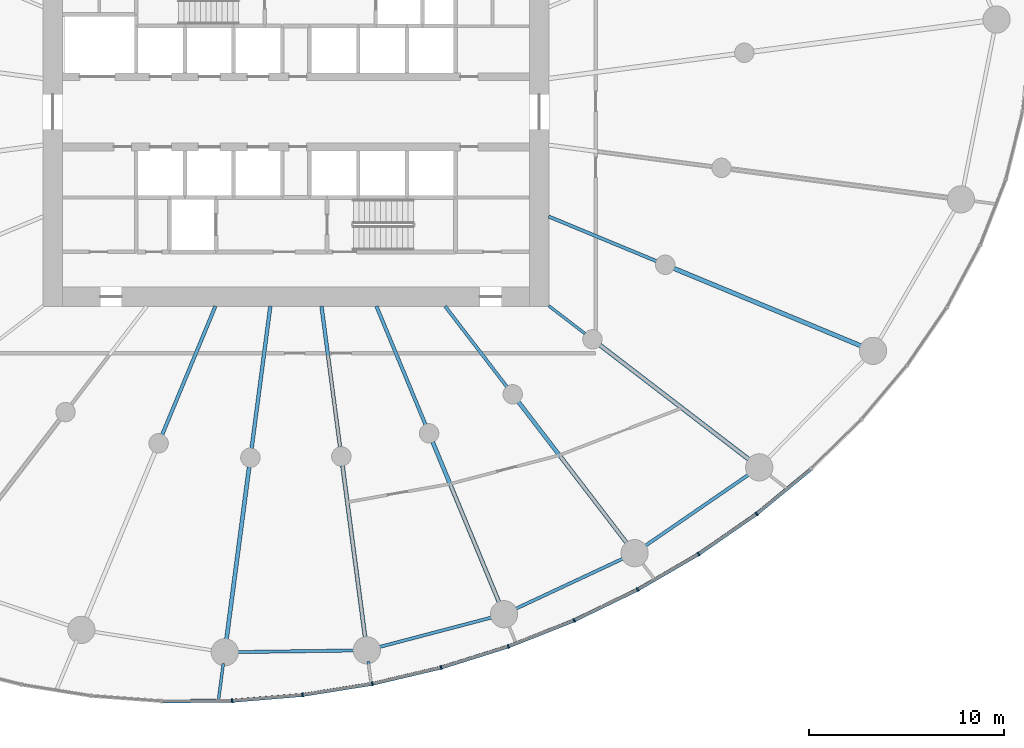
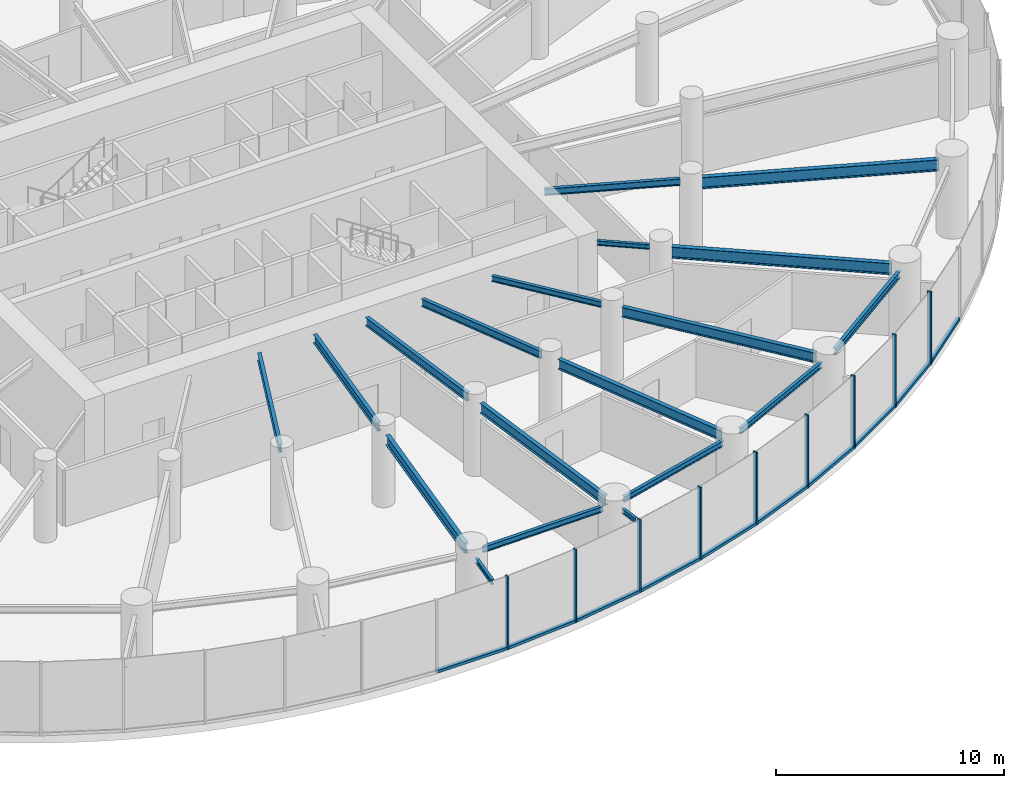
# One storey, part 4 of 18: 19 beams, 19 members, 3 elements without a shape of their own.
"""IFC4 building model written with IfcOpenShell, lengths in metres."""

from ifc_helpers import new_model, si_unit, direction, frame, origin, origin_2d, place, context, subcontext, project, spatial, rectangle, i_section, extrude, source, transform, mapped, material, layer, layer_set, material_profile, profile_set, type_object, element, aggregate, save


model = new_model("IFC4")

# Units and contexts
model_context = context("Model", 3, precision=1e-05, world=origin(), true_north=direction((0.0, 1.0)))
body_context = subcontext(model_context, "Body", "Model", "MODEL_VIEW")
ifc_project = project(units=[si_unit("LENGTHUNIT", "METRE"), si_unit("AREAUNIT", "SQUARE_METRE"), si_unit("VOLUMEUNIT", "CUBIC_METRE"), si_unit("PLANEANGLEUNIT", "RADIAN"), si_unit("MASSUNIT", "GRAM", prefix="KILO")], contexts=[model_context])

# Site, building, storey
site_placement = place(None, origin())
site = spatial("IfcSite", under=ifc_project, at=site_placement, CompositionType="ELEMENT")
building_placement = place(site_placement, origin())
building = spatial("IfcBuilding", under=site, at=building_placement, Name="Spindrift Exchange Tower", CompositionType="ELEMENT")
storey_placement = place(building_placement, frame((0.0, 0.0, 71.0)))
storey = spatial("IfcBuildingStorey", under=building, at=storey_placement, Name="L16", CompositionType="ELEMENT", Elevation=71.0)

# Beams
ifc_material_1 = material(Name="Steel Grade 300", Category="steel")
ifc_material_profile_1 = material_profile(ifc_material_1, i_section(OverallWidth=0.177978515625, OverallDepth=0.406005859375, WebThickness=0.0078125, FlangeThickness=0.0126953125, FilletRadius=0.013916015625, at=origin_2d()), Name="410UB59.7")
ifc_profile_set_1 = profile_set([ifc_material_profile_1], Name="Steel Grade 300")
beam_type_1 = type_object("IfcBeamType", Name="Floor Beam 410UB59.7 Steel Grade 300", PredefinedType="BEAM", material=ifc_profile_set_1)
shared_shape_1 = source(origin(), body_context, "Body", "SweptSolid", [
    extrude(i_section(OverallWidth=0.177978515625, OverallDepth=0.406005859375, WebThickness=0.0078125, FlangeThickness=0.0126953125, FilletRadius=0.013916015625, at=origin_2d()), origin(), (0.0, 0.0, 1.0), 7.150634765625),
])
beam_1_placement = place(storey_placement, frame((47.865478515625, 38.0185546875, 3.697021484375), z_axis=(-0.382665393358, -0.923887004306, 0.0), x_axis=(0.923887004306, -0.382665393358, 0.0)))
element("IfcBeam", 1, at=beam_1_placement, inside=storey, type_object=beam_type_1, Name="L16 radial beam R17A", PredefinedType="BEAM", context=body_context, shape_type="MappedRepresentation", body=[
    mapped(shared_shape_1, transform((0.0, 0.0, 0.0), scale=1.0)),
])
ifc_material_profile_2 = material_profile(ifc_material_1, i_section(OverallWidth=0.18994140625, OverallDepth=0.45703125, WebThickness=0.009033203125, FlangeThickness=0.014404296875, FilletRadius=0.013916015625, at=origin_2d()), Name="460UB74.6")
ifc_profile_set_2 = profile_set([ifc_material_profile_2], Name="Steel Grade 300")
beam_type_2 = type_object("IfcBeamType", Name="Floor Beam 460UB74.6 Steel Grade 300", PredefinedType="BEAM", material=ifc_profile_set_2)
shared_shape_2 = source(origin(), body_context, "Body", "SweptSolid", [
    extrude(i_section(OverallWidth=0.18994140625, OverallDepth=0.45703125, WebThickness=0.009033203125, FlangeThickness=0.014404296875, FilletRadius=0.013916015625, at=origin_2d()), origin(), (0.0, 0.0, 1.0), 7.374267578125),
])
beam_2_placement = place(storey_placement, frame((50.68603515625, 38.019775390625, 3.67138671875), z_axis=(-0.130539295622, -0.99144313619, 0.0), x_axis=(0.99144313619, -0.130539295622, 0.0)))
element("IfcBeam", 2, at=beam_2_placement, inside=storey, type_object=beam_type_2, Name="L16 radial beam R18A", PredefinedType="BEAM", context=body_context, shape_type="MappedRepresentation", body=[
    mapped(shared_shape_2, transform((0.0, 0.0, 0.0), scale=1.0)),
])
ifc_material_profile_3 = material_profile(ifc_material_1, i_section(OverallWidth=0.208984375, OverallDepth=0.532958984375, WebThickness=0.01025390625, FlangeThickness=0.015625, FilletRadius=0.013916015625, at=origin_2d()), Name="530UB92.4")
ifc_profile_set_3 = profile_set([ifc_material_profile_3], Name="Steel Grade 300")
beam_type_3 = type_object("IfcBeamType", Name="Floor Beam 530UB92.4 Steel Grade 300", PredefinedType="BEAM", material=ifc_profile_set_3)
shared_shape_3 = source(origin(), body_context, "Body", "SweptSolid", [
    extrude(i_section(OverallWidth=0.208984375, OverallDepth=0.532958984375, WebThickness=0.01025390625, FlangeThickness=0.015625, FilletRadius=0.013916015625, at=origin_2d()), origin(), (0.0, 0.0, 1.0), 9.020263671875),
])
beam_3_placement = place(storey_placement, frame((49.59814453125, 29.7568359375, 3.633544921875), z_axis=(-0.13051122338, -0.991446831944, 0.0), x_axis=(0.991446831944, -0.13051122338, 0.0)))
element("IfcBeam", 3, at=beam_3_placement, inside=storey, type_object=beam_type_3, Name="L16 radial beam R18B", PredefinedType="BEAM", context=body_context, shape_type="MappedRepresentation", body=[
    mapped(shared_shape_3, transform((0.0, 0.0, 0.0), scale=1.0)),
])
shared_shape_4 = source(origin(), body_context, "Body", "SweptSolid", [
    extrude(i_section(OverallWidth=0.18994140625, OverallDepth=0.45703125, WebThickness=0.009033203125, FlangeThickness=0.014404296875, FilletRadius=0.013916015625, at=origin_2d()), origin(), (0.0, 0.0, 1.0), 7.3095703125),
])
beam_4_placement = place(storey_placement, frame((53.31396484375, 38.019775390625, 3.67138671875), z_axis=(0.130527087244, -0.991444743541, 0.0), x_axis=(0.991444743541, 0.130527087244, 0.0)))
element("IfcBeam", 4, at=beam_4_placement, inside=storey, type_object=beam_type_2, Name="L16 radial beam R19A", PredefinedType="BEAM", context=body_context, shape_type="MappedRepresentation", body=[
    mapped(shared_shape_4, transform((0.0, 0.0, 0.0), scale=1.0)),
])
shared_shape_5 = source(origin(), body_context, "Body", "SweptSolid", [
    extrude(i_section(OverallWidth=0.208984375, OverallDepth=0.532958984375, WebThickness=0.01025390625, FlangeThickness=0.015625, FilletRadius=0.013916015625, at=origin_2d()), origin(), (0.0, 0.0, 1.0), 8.98388671875),
])
beam_5_placement = place(storey_placement, frame((54.393310546875, 29.82080078125, 3.633544921875), z_axis=(0.130524106785, -0.991445135924, 0.0), x_axis=(0.991445135924, 0.130524106785, 0.0)))
element("IfcBeam", 5, at=beam_5_placement, inside=storey, type_object=beam_type_3, Name="L16 radial beam R19B", PredefinedType="BEAM", context=body_context, shape_type="MappedRepresentation", body=[
    mapped(shared_shape_5, transform((0.0, 0.0, 0.0), scale=1.0)),
])
shared_shape_6 = source(origin(), body_context, "Body", "SweptSolid", [
    extrude(i_section(OverallWidth=0.177978515625, OverallDepth=0.406005859375, WebThickness=0.0078125, FlangeThickness=0.0126953125, FilletRadius=0.013916015625, at=origin_2d()), origin(), (0.0, 0.0, 1.0), 6.594482421875),
])
beam_6_placement = place(storey_placement, frame((56.134521484375, 38.0185546875, 3.697021484375), z_axis=(0.382692929746, -0.92387559851, 0.0), x_axis=(0.92387559851, 0.382692929746, 0.0)))
element("IfcBeam", 6, at=beam_6_placement, inside=storey, type_object=beam_type_1, Name="L16 radial beam R20A", PredefinedType="BEAM", context=body_context, shape_type="MappedRepresentation", body=[
    mapped(shared_shape_6, transform((0.0, 0.0, 0.0), scale=1.0)),
])
shared_shape_7 = source(origin(), body_context, "Body", "SweptSolid", [
    extrude(i_section(OverallWidth=0.208984375, OverallDepth=0.532958984375, WebThickness=0.01025390625, FlangeThickness=0.015625, FilletRadius=0.013916015625, at=origin_2d()), origin(), (0.0, 0.0, 1.0), 8.99658203125),
])
beam_7_placement = place(storey_placement, frame((59.025390625, 31.0390625, 3.633544921875), z_axis=(0.382685731718, -0.923878580085, 0.0), x_axis=(0.923878580085, 0.382685731718, 0.0)))
element("IfcBeam", 7, at=beam_7_placement, inside=storey, type_object=beam_type_3, Name="L16 radial beam R20B", PredefinedType="BEAM", context=body_context, shape_type="MappedRepresentation", body=[
    mapped(shared_shape_7, transform((0.0, 0.0, 0.0), scale=1.0)),
])
ifc_material_profile_4 = material_profile(ifc_material_1, i_section(OverallWidth=0.1650390625, OverallDepth=0.303955078125, WebThickness=0.006103515625, FlangeThickness=0.01025390625, FilletRadius=0.011474609375, at=origin_2d()), Name="310UB40.4")
ifc_profile_set_4 = profile_set([ifc_material_profile_4], Name="Steel Grade 300")
beam_type_4 = type_object("IfcBeamType", Name="Floor Beam 310UB40.4 Steel Grade 300", PredefinedType="BEAM", material=ifc_profile_set_4)
shared_shape_8 = source(origin(), body_context, "Body", "SweptSolid", [
    extrude(i_section(OverallWidth=0.1650390625, OverallDepth=0.303955078125, WebThickness=0.006103515625, FlangeThickness=0.01025390625, FilletRadius=0.011474609375, at=origin_2d()), origin(), (0.0, 0.0, 1.0), 5.224609375),
])
beam_8_placement = place(storey_placement, frame((59.6611328125, 38.015869140625, 3.748046875), z_axis=(0.608741499316, -0.793368632485, 0.0), x_axis=(0.793368632485, 0.608741499316, 0.0)))
element("IfcBeam", 8, at=beam_8_placement, inside=storey, type_object=beam_type_4, Name="L16 radial beam R21A", PredefinedType="BEAM", context=body_context, shape_type="MappedRepresentation", body=[
    mapped(shared_shape_8, transform((0.0, 0.0, 0.0), scale=1.0)),
])
shared_shape_9 = source(origin(), body_context, "Body", "SweptSolid", [
    extrude(i_section(OverallWidth=0.208984375, OverallDepth=0.532958984375, WebThickness=0.01025390625, FlangeThickness=0.015625, FilletRadius=0.013916015625, at=origin_2d()), origin(), (0.0, 0.0, 1.0), 9.227783203125),
])
beam_9_placement = place(storey_placement, frame((63.426025390625, 33.109375, 3.633544921875), z_axis=(0.608747534474, -0.79336400175, 0.0), x_axis=(0.79336400175, 0.608747534474, 0.0)))
element("IfcBeam", 9, at=beam_9_placement, inside=storey, type_object=beam_type_3, Name="L16 radial beam R21B", PredefinedType="BEAM", context=body_context, shape_type="MappedRepresentation", body=[
    mapped(shared_shape_9, transform((0.0, 0.0, 0.0), scale=1.0)),
])
ifc_material_profile_5 = material_profile(ifc_material_1, i_section(OverallWidth=0.14599609375, OverallDepth=0.251953125, WebThickness=0.006103515625, FlangeThickness=0.008544921875, FilletRadius=0.011962890625, at=origin_2d()), Name="250UB31.4")
ifc_profile_set_5 = profile_set([ifc_material_profile_5], Name="Steel Grade 300")
beam_type_5 = type_object("IfcBeamType", Name="Floor Beam 250UB31.4 Steel Grade 300", PredefinedType="BEAM", material=ifc_profile_set_5)
shared_shape_10 = source(origin(), body_context, "Body", "SweptSolid", [
    extrude(i_section(OverallWidth=0.14599609375, OverallDepth=0.251953125, WebThickness=0.006103515625, FlangeThickness=0.008544921875, FilletRadius=0.011962890625, at=origin_2d()), origin(), (0.0, 0.0, 1.0), 2.353759765625),
])
beam_10_placement = place(storey_placement, frame((64.984130859375, 38.036865234375, 3.77392578125), z_axis=(0.793367573265, -0.608742879787, 0.0), x_axis=(0.608742879787, 0.793367573265, 0.0)))
element("IfcBeam", 10, at=beam_10_placement, inside=storey, type_object=beam_type_5, Name="L16 radial beam R22A", PredefinedType="BEAM", context=body_context, shape_type="MappedRepresentation", body=[
    mapped(shared_shape_10, transform((0.0, 0.0, 0.0), scale=1.0)),
])
ifc_material_profile_6 = material_profile(ifc_material_1, i_section(OverallWidth=0.22802734375, OverallDepth=0.60693359375, WebThickness=0.01123046875, FlangeThickness=0.017333984375, FilletRadius=0.013916015625, at=origin_2d()), Name="610UB113")
ifc_profile_set_6 = profile_set([ifc_material_profile_6], Name="Steel Grade 300")
beam_type_6 = type_object("IfcBeamType", Name="Floor Beam 610UB113 Steel Grade 300", PredefinedType="BEAM", material=ifc_profile_set_6)
shared_shape_11 = source(origin(), body_context, "Body", "SweptSolid", [
    extrude(i_section(OverallWidth=0.22802734375, OverallDepth=0.60693359375, WebThickness=0.01123046875, FlangeThickness=0.017333984375, FilletRadius=0.013916015625, at=origin_2d()), origin(), (0.0, 0.0, 1.0), 9.73974609375),
])
beam_11_placement = place(storey_placement, frame((67.61328125, 36.01953125, 3.596435546875), z_axis=(0.793352119621, -0.608763019814, 0.0), x_axis=(0.608763019814, 0.793352119621, 0.0)))
element("IfcBeam", 11, at=beam_11_placement, inside=storey, type_object=beam_type_6, Name="L16 radial beam R22B", PredefinedType="BEAM", context=body_context, shape_type="MappedRepresentation", body=[
    mapped(shared_shape_11, transform((0.0, 0.0, 0.0), scale=1.0)),
])
ifc_material_profile_7 = material_profile(ifc_material_1, i_section(OverallWidth=0.172119140625, OverallDepth=0.35888671875, WebThickness=0.008056640625, FlangeThickness=0.012939453125, FilletRadius=0.013916015625, at=origin_2d()), Name="360UB56.7")
ifc_profile_set_7 = profile_set([ifc_material_profile_7], Name="Steel Grade 300")
beam_type_7 = type_object("IfcBeamType", Name="Floor Beam 360UB56.7 Steel Grade 300", PredefinedType="BEAM", material=ifc_profile_set_7)
shared_shape_12 = source(origin(), body_context, "Body", "SweptSolid", [
    extrude(i_section(OverallWidth=0.172119140625, OverallDepth=0.35888671875, WebThickness=0.008056640625, FlangeThickness=0.012939453125, FilletRadius=0.013916015625, at=origin_2d()), origin(), (0.0, 0.0, 1.0), 6.004638671875),
])
beam_12_placement = place(storey_placement, frame((64.9814453125, 42.622802734375, 3.720458984375), z_axis=(0.923882044911, -0.38267736684, 0.0), x_axis=(0.38267736684, 0.923882044911, 0.0)))
element("IfcBeam", 12, at=beam_12_placement, inside=storey, type_object=beam_type_7, Name="L16 radial beam R23A", PredefinedType="BEAM", context=body_context, shape_type="MappedRepresentation", body=[
    mapped(shared_shape_12, transform((0.0, 0.0, 0.0), scale=1.0)),
])
shared_shape_13 = source(origin(), body_context, "Body", "SweptSolid", [
    extrude(i_section(OverallWidth=0.22802734375, OverallDepth=0.60693359375, WebThickness=0.01123046875, FlangeThickness=0.017333984375, FilletRadius=0.013916015625, at=origin_2d()), origin(), (0.0, 0.0, 1.0), 10.4912109375),
])
beam_13_placement = place(storey_placement, frame((71.416015625, 39.95751953125, 3.596435546875), z_axis=(0.923885231151, -0.382669674342, 0.0), x_axis=(0.382669674342, 0.923885231151, 0.0)))
element("IfcBeam", 13, at=beam_13_placement, inside=storey, type_object=beam_type_6, Name="L16 radial beam R23B", PredefinedType="BEAM", context=body_context, shape_type="MappedRepresentation", body=[
    mapped(shared_shape_13, transform((0.0, 0.0, 0.0), scale=1.0)),
])
ifc_material_profile_8 = material_profile(ifc_material_1, i_section(OverallWidth=0.1650390625, OverallDepth=0.303955078125, WebThickness=0.006103515625, FlangeThickness=0.01025390625, FilletRadius=0.011474609375, at=origin_2d()), Name="310UB40.4")
ifc_profile_set_8 = profile_set([ifc_material_profile_8], Name="Steel Grade 300")
beam_type_8 = type_object("IfcBeamType", Name="Edge Beam 310UB40.4 Steel Grade 300", PredefinedType="SPANDREL", material=ifc_profile_set_8)
shared_shape_14 = source(origin(), body_context, "Body", "SweptSolid", [
    extrude(i_section(OverallWidth=0.1650390625, OverallDepth=0.303955078125, WebThickness=0.006103515625, FlangeThickness=0.01025390625, FilletRadius=0.011474609375, at=origin_2d()), origin(), (0.0, 0.0, 1.0), 6.13720703125),
])
beam_14_placement = place(storey_placement, frame((48.925048828125, 20.24658203125, 3.748046875), z_axis=(0.999905820907, 0.013724041543, 0.0), x_axis=(-0.013724041543, 0.999905820907, 0.0)))
element("IfcBeam", 14, at=beam_14_placement, inside=storey, type_object=beam_type_8, Name="L16 edge beam E18", PredefinedType="SPANDREL", context=body_context, shape_type="MappedRepresentation", body=[
    mapped(shared_shape_14, transform((0.0, 0.0, 0.0), scale=1.0)),
])
shared_shape_15 = source(origin(), body_context, "Body", "SweptSolid", [
    extrude(i_section(OverallWidth=0.1650390625, OverallDepth=0.303955078125, WebThickness=0.006103515625, FlangeThickness=0.01025390625, FilletRadius=0.011474609375, at=origin_2d()), origin(), (0.0, 0.0, 1.0), 6.128173828125),
])
beam_15_placement = place(storey_placement, frame((56.20263671875, 20.486083984375, 3.748046875), z_axis=(0.967147261855, 0.254216785216, 0.0), x_axis=(-0.254216785216, 0.967147261855, 0.0)))
element("IfcBeam", 15, at=beam_15_placement, inside=storey, type_object=beam_type_8, Name="L16 edge beam E19", PredefinedType="SPANDREL", context=body_context, shape_type="MappedRepresentation", body=[
    mapped(shared_shape_15, transform((0.0, 0.0, 0.0), scale=1.0)),
])
shared_shape_16 = source(origin(), body_context, "Body", "SweptSolid", [
    extrude(i_section(OverallWidth=0.1650390625, OverallDepth=0.303955078125, WebThickness=0.006103515625, FlangeThickness=0.01025390625, FilletRadius=0.011474609375, at=origin_2d()), origin(), (0.0, 0.0, 1.0), 6.243408203125),
])
beam_16_placement = place(storey_placement, frame((63.2158203125, 22.43701171875, 3.748046875), z_axis=(0.905791146607, 0.423724437257, 0.0), x_axis=(-0.423724437257, 0.905791146607, 0.0)))
element("IfcBeam", 16, at=beam_16_placement, inside=storey, type_object=beam_type_8, Name="L16 edge beam E20", PredefinedType="SPANDREL", context=body_context, shape_type="MappedRepresentation", body=[
    mapped(shared_shape_16, transform((0.0, 0.0, 0.0), scale=1.0)),
])
ifc_material_profile_9 = material_profile(ifc_material_1, i_section(OverallWidth=0.172119140625, OverallDepth=0.35888671875, WebThickness=0.008056640625, FlangeThickness=0.012939453125, FilletRadius=0.013916015625, at=origin_2d()), Name="360UB56.7")
ifc_profile_set_9 = profile_set([ifc_material_profile_9], Name="Steel Grade 300")
beam_type_9 = type_object("IfcBeamType", Name="Edge Beam 360UB56.7 Steel Grade 300", PredefinedType="SPANDREL", material=ifc_profile_set_9)
shared_shape_17 = source(origin(), body_context, "Body", "SweptSolid", [
    extrude(i_section(OverallWidth=0.172119140625, OverallDepth=0.35888671875, WebThickness=0.008056640625, FlangeThickness=0.012939453125, FilletRadius=0.013916015625, at=origin_2d()), origin(), (0.0, 0.0, 1.0), 6.614990234375),
])
beam_17_placement = place(storey_placement, frame((69.874267578125, 25.6572265625, 3.720458984375), z_axis=(0.823690708835, 0.567039342708, 0.0), x_axis=(-0.567039342708, 0.823690708835, 0.0)))
element("IfcBeam", 17, at=beam_17_placement, inside=storey, type_object=beam_type_9, Name="L16 edge beam E21", PredefinedType="SPANDREL", context=body_context, shape_type="MappedRepresentation", body=[
    mapped(shared_shape_17, transform((0.0, 0.0, 0.0), scale=1.0)),
])
ifc_material_profile_10 = material_profile(ifc_material_1, i_section(OverallWidth=0.14599609375, OverallDepth=0.251953125, WebThickness=0.006103515625, FlangeThickness=0.008544921875, FilletRadius=0.011962890625, at=origin_2d()), Name="250UB31.4")
ifc_profile_set_10 = profile_set([ifc_material_profile_10], Name="Steel Grade 300")
beam_type_10 = type_object("IfcBeamType", Name="Cantilever Beam 250UB31.4 Steel Grade 300", PredefinedType="BEAM", material=ifc_profile_set_10)
shared_shape_18 = source(origin(), body_context, "Body", "SweptSolid", [
    extrude(i_section(OverallWidth=0.14599609375, OverallDepth=0.251953125, WebThickness=0.006103515625, FlangeThickness=0.008544921875, FilletRadius=0.011962890625, at=origin_2d()), origin(), (0.0, 0.0, 1.0), 1.876220703125),
])
beam_18_placement = place(storey_placement, frame((48.269287109375, 19.66357421875, 3.77392578125), z_axis=(-0.130518469058, -0.991445878117, 0.0), x_axis=(0.991445878117, -0.130518469058, 0.0)))
element("IfcBeam", 18, at=beam_18_placement, inside=storey, type_object=beam_type_10, Name="L16 cantilever beam R18T", PredefinedType="BEAM", context=body_context, shape_type="MappedRepresentation", body=[
    mapped(shared_shape_18, transform((0.0, 0.0, 0.0), scale=1.0)),
])
shared_shape_19 = source(origin(), body_context, "Body", "SweptSolid", [
    extrude(i_section(OverallWidth=0.14599609375, OverallDepth=0.251953125, WebThickness=0.006103515625, FlangeThickness=0.008544921875, FilletRadius=0.011962890625, at=origin_2d()), origin(), (0.0, 0.0, 1.0), 0.993408203125),
])
beam_19_placement = place(storey_placement, frame((55.71728515625, 19.763671875, 3.77392578125), z_axis=(0.130505373489, -0.991447601989, 0.0), x_axis=(0.991447601989, 0.130505373489, 0.0)))
element("IfcBeam", 19, at=beam_19_placement, inside=storey, type_object=beam_type_10, Name="L16 cantilever beam R19T", PredefinedType="BEAM", context=body_context, shape_type="MappedRepresentation", body=[
    mapped(shared_shape_19, transform((0.0, 0.0, 0.0), scale=1.0)),
])

# Curtain wall, member
ifc_material_2 = material(Name="Fritted laminated glass with bronze frame", Category="glass")
ifc_layer = layer(ifc_material_2, 0.199951171875)
ifc_layer_set = layer_set([ifc_layer], Name="ZONE 1 BRONZE FRITTED WALL")
curtain_wall_type = type_object("IfcCurtainWallType", Name="ZONE 1 BRONZE FRITTED WALL", PredefinedType="NOTDEFINED", material=ifc_layer_set)
curtain_wall_1_placement = place(storey_placement, origin())
curtain_wall_1 = element("IfcCurtainWall", 20, at=curtain_wall_1_placement, inside=storey, type_object=curtain_wall_type, Name="L16 Zone 1 Bronze Fritted Wall run 7", PredefinedType="NOTDEFINED")
ifc_material_3 = material(Name="Bronze anodised aluminium", Category="aluminium")
ifc_material_profile_11 = material_profile(ifc_material_3, rectangle(XDim=0.179931640625, YDim=0.14990234375, at=origin_2d()), Name="ZONE 1 BRONZE FRITTED WALL TRANSOM 180X150")
ifc_profile_set_11 = profile_set([ifc_material_profile_11], Name="Bronze anodised aluminium")
member_type_1 = type_object("IfcMemberType", Name="ZONE 1 BRONZE FRITTED WALL TRANSOM 180X150", PredefinedType="USERDEFINED", material=ifc_profile_set_11)
shared_shape_20 = source(origin(), body_context, "Body", "SweptSolid", [
    extrude(rectangle(XDim=0.179931640625, YDim=0.14990234375, at=origin_2d()), origin(), (0.0, 0.0, 1.0), 3.54736328125),
])
member_1_placement = place(storey_placement, frame((48.765869140625, 17.750732421875, 0.074951171875), z_axis=(0.996549554306, 0.082999914537, 0.0), x_axis=(-0.082999914537, 0.996549554306, 0.0)))
member_1 = element("IfcMember", 21, at=member_1_placement, type_object=member_type_1, Name="L16 transom CW-1.42", ObjectType="TRANSOM", PredefinedType="USERDEFINED", context=body_context, shape_type="MappedRepresentation", body=[
    mapped(shared_shape_20, transform((0.0, 0.0, 0.0), scale=1.0)),
])

# Curtain wall, members
curtain_wall_2_placement = place(storey_placement, origin())
curtain_wall_2 = element("IfcCurtainWall", 22, at=curtain_wall_2_placement, inside=storey, type_object=curtain_wall_type, Name="L16 Zone 1 Bronze Fritted Wall run 8", PredefinedType="NOTDEFINED")
member_2_placement = place(storey_placement, frame((52.38037109375, 18.0546875, 0.074951171875), z_axis=(0.987546061935, 0.157330148274, 0.0), x_axis=(-0.157330148274, 0.987546061935, 0.0)))
member_2 = element("IfcMember", 23, at=member_2_placement, type_object=member_type_1, Name="L16 transom CW-1.43", ObjectType="TRANSOM", PredefinedType="USERDEFINED", context=body_context, shape_type="MappedRepresentation", body=[
    mapped(shared_shape_20, transform((0.0, 0.0, 0.0), scale=1.0)),
])
member_3_placement = place(storey_placement, frame((55.9619140625, 18.62841796875, 0.074951171875), z_axis=(0.973336779579, 0.22938071741, 0.0), x_axis=(-0.22938071741, 0.973336779579, 0.0)))
member_3 = element("IfcMember", 24, at=member_3_placement, type_object=member_type_1, Name="L16 transom CW-1.44", ObjectType="TRANSOM", PredefinedType="USERDEFINED", context=body_context, shape_type="MappedRepresentation", body=[
    mapped(shared_shape_20, transform((0.0, 0.0, 0.0), scale=1.0)),
])
member_4_placement = place(storey_placement, frame((59.491943359375, 19.46337890625, 0.074951171875), z_axis=(0.954045448912, 0.299661945215, 0.0), x_axis=(-0.299661945215, 0.954045448912, 0.0)))
member_4 = element("IfcMember", 25, at=member_4_placement, type_object=member_type_1, Name="L16 transom CW-1.45", ObjectType="TRANSOM", PredefinedType="USERDEFINED", context=body_context, shape_type="MappedRepresentation", body=[
    mapped(shared_shape_20, transform((0.0, 0.0, 0.0), scale=1.0)),
])
member_5_placement = place(storey_placement, frame((66.322509765625, 21.892578125, 0.074951171875), z_axis=(0.899811650991, 0.436278572406, 0.0), x_axis=(-0.436278572406, 0.899811650991, 0.0)))
member_5 = element("IfcMember", 26, at=member_5_placement, type_object=member_type_1, Name="L16 transom CW-1.47", ObjectType="TRANSOM", PredefinedType="USERDEFINED", context=body_context, shape_type="MappedRepresentation", body=[
    mapped(shared_shape_20, transform((0.0, 0.0, 0.0), scale=1.0)),
])
member_6_placement = place(storey_placement, frame((69.5849609375, 23.477783203125, 0.074951171875), z_axis=(0.864118174918, 0.503288962502, 0.0), x_axis=(-0.503288962502, 0.864118174918, 0.0)))
member_6 = element("IfcMember", 27, at=member_6_placement, type_object=member_type_1, Name="L16 transom CW-1.48", ObjectType="TRANSOM", PredefinedType="USERDEFINED", context=body_context, shape_type="MappedRepresentation", body=[
    mapped(shared_shape_20, transform((0.0, 0.0, 0.0), scale=1.0)),
])

# Curtain wall, member
curtain_wall_3_placement = place(storey_placement, origin())
curtain_wall_3 = element("IfcCurtainWall", 28, at=curtain_wall_3_placement, inside=storey, type_object=curtain_wall_type, Name="L16 Zone 1 Bronze Fritted Wall run 9", PredefinedType="NOTDEFINED")
member_7_placement = place(storey_placement, frame((72.7177734375, 25.30615234375, 0.074951171875), z_axis=(0.821887324428, 0.569650090796, 0.0), x_axis=(-0.569650090796, 0.821887324428, 0.0)))
member_7 = element("IfcMember", 29, at=member_7_placement, type_object=member_type_1, Name="L16 transom CW-1.49", ObjectType="TRANSOM", PredefinedType="USERDEFINED", context=body_context, shape_type="MappedRepresentation", body=[
    mapped(shared_shape_20, transform((0.0, 0.0, 0.0), scale=1.0)),
])

# Member
shared_shape_21 = source(origin(), body_context, "Body", "SweptSolid", [
    extrude(rectangle(XDim=0.179931640625, YDim=0.14990234375, at=origin_2d()), origin(), (0.0, 0.0, 1.0), 3.547119140625),
])
member_8_placement = place(storey_placement, frame((45.138916015625, 17.72607421875, 0.074951171875), z_axis=(0.999982482019, 0.005919092398, 0.0), x_axis=(-0.005919092398, 0.999982482019, 0.0)))
member_8 = element("IfcMember", 30, at=member_8_placement, type_object=member_type_1, Name="L16 transom CW-1.41", ObjectType="TRANSOM", PredefinedType="USERDEFINED", context=body_context, shape_type="MappedRepresentation", body=[
    mapped(shared_shape_21, transform((0.0, 0.0, 0.0), scale=1.0)),
])

member_9_placement = place(storey_placement, frame((75.697021484375, 27.375, 0.074951171875), z_axis=(0.772172564845, 0.635412881598, 0.0), x_axis=(-0.635412881598, 0.772172564845, 0.0)))
member_9 = element("IfcMember", 31, at=member_9_placement, type_object=member_type_1, Name="L16 transom CW-1.50", ObjectType="TRANSOM", PredefinedType="USERDEFINED", context=body_context, shape_type="MappedRepresentation", body=[
    mapped(shared_shape_21, transform((0.0, 0.0, 0.0), scale=1.0)),
])

shared_shape_22 = source(origin(), body_context, "Body", "SweptSolid", [
    extrude(rectangle(XDim=0.179931640625, YDim=0.14990234375, at=origin_2d()), origin(), (0.0, 0.0, 1.0), 3.547607421875),
])
member_10_placement = place(storey_placement, frame((62.95166015625, 20.552978515625, 0.074951171875), z_axis=(0.929616117728, 0.368529338942, 0.0), x_axis=(-0.368529338942, 0.929616117728, 0.0)))
member_10 = element("IfcMember", 32, at=member_10_placement, type_object=member_type_1, Name="L16 transom CW-1.46", ObjectType="TRANSOM", PredefinedType="USERDEFINED", context=body_context, shape_type="MappedRepresentation", body=[
    mapped(shared_shape_22, transform((0.0, 0.0, 0.0), scale=1.0)),
])

ifc_material_profile_12 = material_profile(ifc_material_3, rectangle(XDim=0.080078125, YDim=0.199951171875, at=origin_2d()), Name="ZONE 1 BRONZE FRITTED WALL MULLION 80X200")
ifc_profile_set_12 = profile_set([ifc_material_profile_12], Name="Bronze anodised aluminium")
member_type_2 = type_object("IfcMemberType", Name="ZONE 1 BRONZE FRITTED WALL MULLION 80X200", PredefinedType="MULLION", material=ifc_profile_set_12)
shared_shape_23 = source(origin(), body_context, "Body", "SweptSolid", [
    extrude(rectangle(XDim=0.080078125, YDim=0.199951171875, at=origin_2d()), origin(), (0.0, 0.0, 1.0), 3.89990234375),
])
member_11_placement = place(storey_placement, frame((48.72607421875, 17.747314453125, 0.0), z_axis=(0.0, 0.0, 1.0), x_axis=(0.999009327189, 0.044501283014, 0.0)))
member_11 = element("IfcMember", 33, at=member_11_placement, type_object=member_type_2, Name="L16 mullion CW-1.42", PredefinedType="MULLION", context=body_context, shape_type="MappedRepresentation", body=[
    mapped(shared_shape_23, transform((0.0, 0.0, 0.0), scale=1.0)),
])

aggregate(curtain_wall_1, [member_8, member_11, member_1])

member_12_placement = place(storey_placement, frame((52.3408203125, 18.04833984375, 0.0), z_axis=(0.0, 0.0, 1.0), x_axis=(0.992741465006, 0.120267966053, 0.0)))
member_12 = element("IfcMember", 34, at=member_12_placement, type_object=member_type_2, Name="L16 mullion CW-1.43", PredefinedType="MULLION", context=body_context, shape_type="MappedRepresentation", body=[
    mapped(shared_shape_23, transform((0.0, 0.0, 0.0), scale=1.0)),
])

member_13_placement = place(storey_placement, frame((55.923095703125, 18.619140625, 0.0), z_axis=(0.0, 0.0, 1.0), x_axis=(0.981099258486, 0.193505154963, 0.0)))
member_13 = element("IfcMember", 35, at=member_13_placement, type_object=member_type_2, Name="L16 mullion CW-1.44", PredefinedType="MULLION", context=body_context, shape_type="MappedRepresentation", body=[
    mapped(shared_shape_23, transform((0.0, 0.0, 0.0), scale=1.0)),
])

member_14_placement = place(storey_placement, frame((59.453857421875, 19.451416015625, 0.0), z_axis=(0.0, 0.0, 1.0), x_axis=(0.964329904751, 0.26470329579, 0.0)))
member_14 = element("IfcMember", 36, at=member_14_placement, type_object=member_type_2, Name="L16 mullion CW-1.45", PredefinedType="MULLION", context=body_context, shape_type="MappedRepresentation", body=[
    mapped(shared_shape_23, transform((0.0, 0.0, 0.0), scale=1.0)),
])

member_15_placement = place(storey_placement, frame((62.91455078125, 20.538330078125, 0.0), z_axis=(0.0, 0.0, 1.0), x_axis=(0.942460011541, 0.334318899626, 0.0)))
member_15 = element("IfcMember", 37, at=member_15_placement, type_object=member_type_2, Name="L16 mullion CW-1.46", PredefinedType="MULLION", context=body_context, shape_type="MappedRepresentation", body=[
    mapped(shared_shape_23, transform((0.0, 0.0, 0.0), scale=1.0)),
])

member_16_placement = place(storey_placement, frame((66.28662109375, 21.875, 0.0), z_axis=(0.0, 0.0, 1.0), x_axis=(0.915337282932, 0.402688041137, 0.0)))
member_16 = element("IfcMember", 38, at=member_16_placement, type_object=member_type_2, Name="L16 mullion CW-1.47", PredefinedType="MULLION", context=body_context, shape_type="MappedRepresentation", body=[
    mapped(shared_shape_23, transform((0.0, 0.0, 0.0), scale=1.0)),
])

member_17_placement = place(storey_placement, frame((69.550537109375, 23.457763671875, 0.0), z_axis=(0.0, 0.0, 1.0), x_axis=(0.88259478379, 0.470134499506, 0.0)))
member_17 = element("IfcMember", 39, at=member_17_placement, type_object=member_type_2, Name="L16 mullion CW-1.48", PredefinedType="MULLION", context=body_context, shape_type="MappedRepresentation", body=[
    mapped(shared_shape_23, transform((0.0, 0.0, 0.0), scale=1.0)),
])

aggregate(curtain_wall_2, [member_12, member_2, member_13, member_3, member_14, member_4, member_15, member_10, member_16, member_5, member_17, member_6])

member_18_placement = place(storey_placement, frame((72.684814453125, 25.283203125, 0.0), z_axis=(0.0, 0.0, 1.0), x_axis=(0.843651779007, 0.536890748457, 0.0)))
member_18 = element("IfcMember", 40, at=member_18_placement, type_object=member_type_2, Name="L16 mullion CW-1.49", PredefinedType="MULLION", context=body_context, shape_type="MappedRepresentation", body=[
    mapped(shared_shape_23, transform((0.0, 0.0, 0.0), scale=1.0)),
])

member_19_placement = place(storey_placement, frame((75.666015625, 27.349609375, 0.0), z_axis=(0.0, 0.0, 1.0), x_axis=(0.797702607477, 0.603051034345, 0.0)))
member_19 = element("IfcMember", 41, at=member_19_placement, type_object=member_type_2, Name="L16 mullion CW-1.50", PredefinedType="MULLION", context=body_context, shape_type="MappedRepresentation", body=[
    mapped(shared_shape_23, transform((0.0, 0.0, 0.0), scale=1.0)),
])

aggregate(curtain_wall_3, [member_18, member_7, member_19, member_9])

save(model, "model.ifc")
